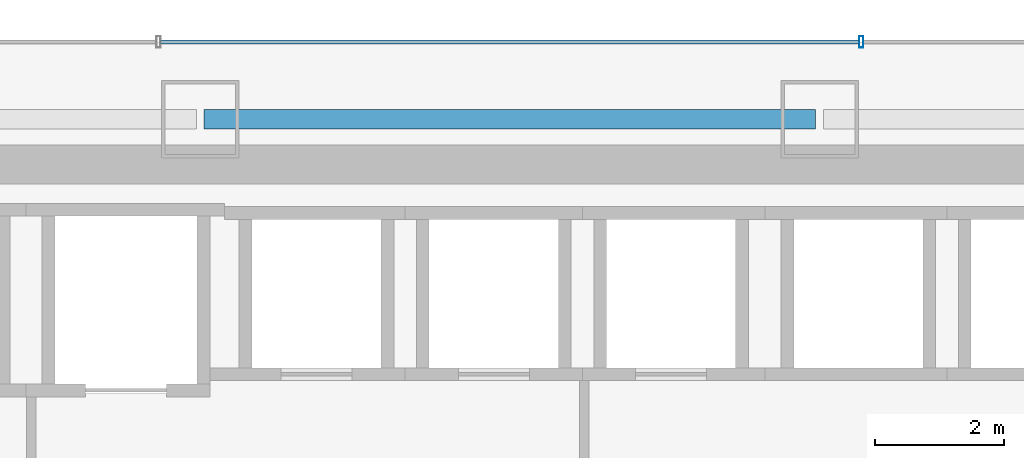
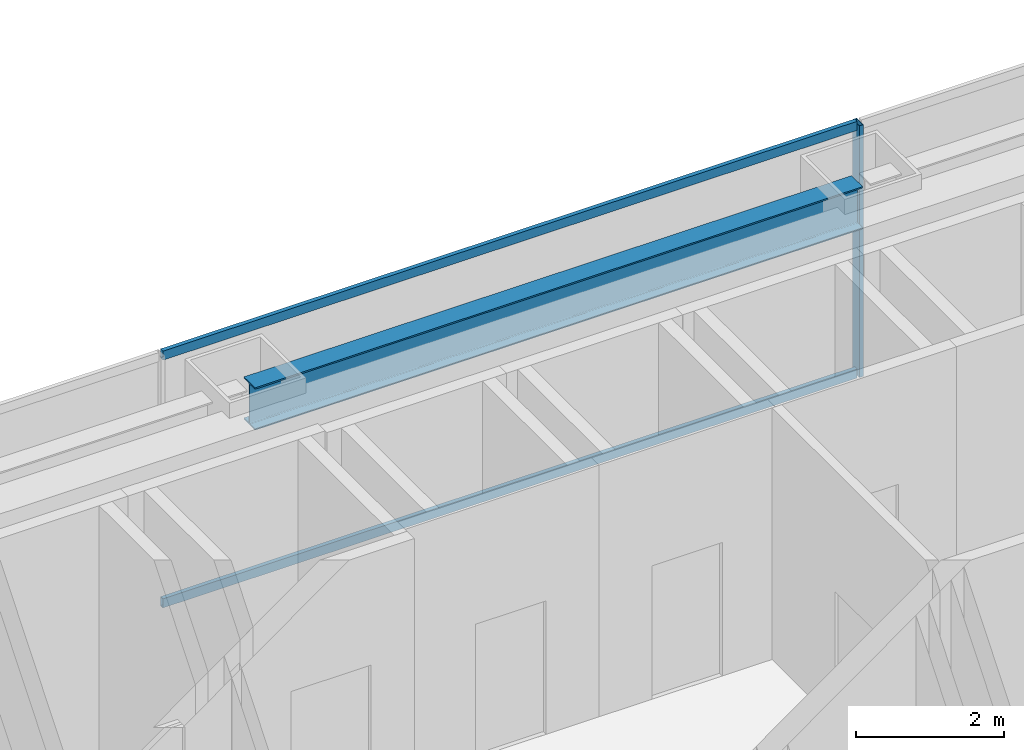
# One storey, part 28 of 47: 3 members, 1 beam, 1 element without a shape of its own.
"""IFC4 building model written with IfcOpenShell, lengths in metres."""

from ifc_helpers import new_model, si_unit, direction, frame, origin, origin_2d, place, context, subcontext, project, spatial, hollow_rectangle, i_section, extrude, material, material_profile, profile_set, type_object, element, aggregate, save


model = new_model("IFC4")

# Units and contexts
model_context = context("Model", 3, precision=1e-05, world=origin(), true_north=direction((0.0, 1.0)))
body_context = subcontext(model_context, "Body", "Model", "MODEL_VIEW")
ifc_project = project(units=[si_unit("LENGTHUNIT", "METRE"), si_unit("AREAUNIT", "SQUARE_METRE"), si_unit("VOLUMEUNIT", "CUBIC_METRE"), si_unit("PLANEANGLEUNIT", "RADIAN"), si_unit("MASSUNIT", "GRAM", prefix="KILO")], contexts=[model_context])

# Site, building, storey
site_placement = place(None, origin())
site = spatial("IfcSite", under=ifc_project, at=site_placement, CompositionType="ELEMENT")
building_placement = place(site_placement, origin())
building = spatial("IfcBuilding", under=site, at=building_placement, Name="Saevonmaru Cultural Tower", CompositionType="ELEMENT")
storey_placement = place(building_placement, frame((0.0, 0.0, 69.199951171875)))
storey = spatial("IfcBuildingStorey", under=building, at=storey_placement, Name="L14", CompositionType="ELEMENT", Elevation=69.199951171875)

# Beam
ifc_material_1 = material(Name="Steel SM355", Category="steel")
ifc_material_profile_1 = material_profile(ifc_material_1, i_section(OverallWidth=0.300048828125, OverallDepth=0.699951171875, WebThickness=0.012939453125, FlangeThickness=0.02392578125, FilletRadius=0.02587890625, at=origin_2d()), Name="H-700x300x13x24")
ifc_profile_set_1 = profile_set([ifc_material_profile_1], Name="Steel SM355")
beam_type = type_object("IfcBeamType", Name="BM-SP-H700", PredefinedType="SPANDREL", material=ifc_profile_set_1)
beam_placement = place(storey_placement, frame((25.260009765625, 54.800048828125, 3.800048828125), z_axis=(1.0, 0.0, 0.0), x_axis=(0.0, 1.0, 0.0)))
element("IfcBeam", 1, at=beam_placement, inside=storey, type_object=beam_type, Name="L14 North Spine Girder 3", PredefinedType="SPANDREL", context=body_context, shape_type="SweptSolid", body=[
    extrude(i_section(OverallWidth=0.300048828125, OverallDepth=0.699951171875, WebThickness=0.012939453125, FlangeThickness=0.02392578125, FilletRadius=0.02587890625, at=origin_2d()), origin(), (0.0, 0.0, 1.0), 9.47998046875),
])

# Curtain wall, members
ifc_material_2 = material(Name="Satin Bronze Anodised Aluminium", Category="aluminium")
curtain_wall_type = type_object("IfcCurtainWallType", Name="CW-TYP-A", PredefinedType="NOTDEFINED", material=ifc_material_2)
curtain_wall_placement = place(storey_placement, origin())
curtain_wall = element("IfcCurtainWall", 2, at=curtain_wall_placement, inside=storey, type_object=curtain_wall_type, Name="L14 North Spine Unitised Curtain Wall E10B", PredefinedType="NOTDEFINED")
ifc_material_profile_2 = material_profile(ifc_material_2, hollow_rectangle(XDim=0.06494140625, YDim=0.179931640625, WallThickness=0.00390625, at=origin_2d()), Name="ALU-MULL-180x65x4")
ifc_profile_set_2 = profile_set([ifc_material_profile_2], Name="Satin Bronze Anodised Aluminium")
member_type_1 = type_object("IfcMemberType", Name="ML-CW-180x65", PredefinedType="MULLION", material=ifc_profile_set_2)
member_1_placement = place(storey_placement, frame((35.44677734375, 56.0, 0.0), z_axis=(0.0, 0.0, 1.0), x_axis=(-1.0, 0.0, 0.0)))
member_1 = element("IfcMember", 3, at=member_1_placement, type_object=member_type_1, Name="CW-TW-L14-E10B mullion 2", PredefinedType="MULLION", context=body_context, shape_type="SweptSolid", body=[
    extrude(hollow_rectangle(XDim=0.06494140625, YDim=0.179931640625, WallThickness=0.00390625, at=origin_2d()), origin(), (0.0, 0.0, 1.0), 4.150146484375),
])
ifc_material_profile_3 = material_profile(ifc_material_2, hollow_rectangle(XDim=0.06494140625, YDim=0.14990234375, WallThickness=0.00390625, at=origin_2d()), Name="ALU-TRAN-150x65x4")
ifc_profile_set_3 = profile_set([ifc_material_profile_3], Name="Satin Bronze Anodised Aluminium")
member_type_2 = type_object("IfcMemberType", Name="TR-CW-150x65", PredefinedType="USERDEFINED", material=ifc_profile_set_3)
member_2_placement = place(storey_placement, frame((35.4140625, 56.0, 0.032470703125), z_axis=(-1.0, 0.0, 0.0), x_axis=(0.0, -1.0, 0.0)))
member_2 = element("IfcMember", 4, at=member_2_placement, type_object=member_type_2, Name="CW-TW-L14-E10B transom 2.1", ObjectType="TRANSOM", PredefinedType="USERDEFINED", context=body_context, shape_type="SweptSolid", body=[
    extrude(hollow_rectangle(XDim=0.06494140625, YDim=0.14990234375, WallThickness=0.00390625, at=origin_2d()), origin(), (0.0, 0.0, 1.0), 10.828125),
])
member_3_placement = place(storey_placement, frame((35.4140625, 56.0, 4.117431640625), z_axis=(-1.0, 0.0, 0.0), x_axis=(0.0, -1.0, 0.0)))
member_3 = element("IfcMember", 5, at=member_3_placement, type_object=member_type_2, Name="CW-TW-L14-E10B transom 2.2", ObjectType="TRANSOM", PredefinedType="USERDEFINED", context=body_context, shape_type="SweptSolid", body=[
    extrude(hollow_rectangle(XDim=0.06494140625, YDim=0.14990234375, WallThickness=0.00390625, at=origin_2d()), origin(), (0.0, 0.0, 1.0), 10.828125),
])
aggregate(curtain_wall, [member_1, member_2, member_3])

save(model, "model.ifc")
